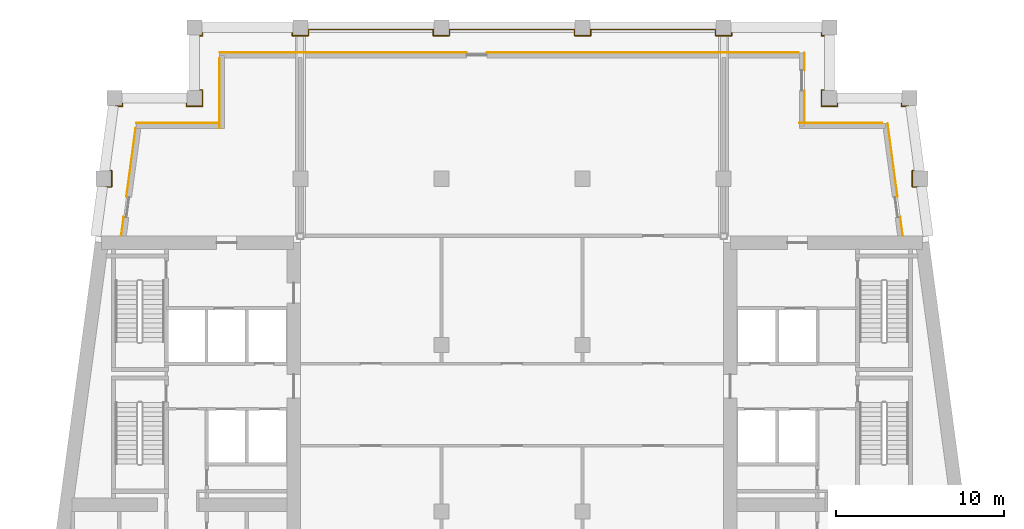
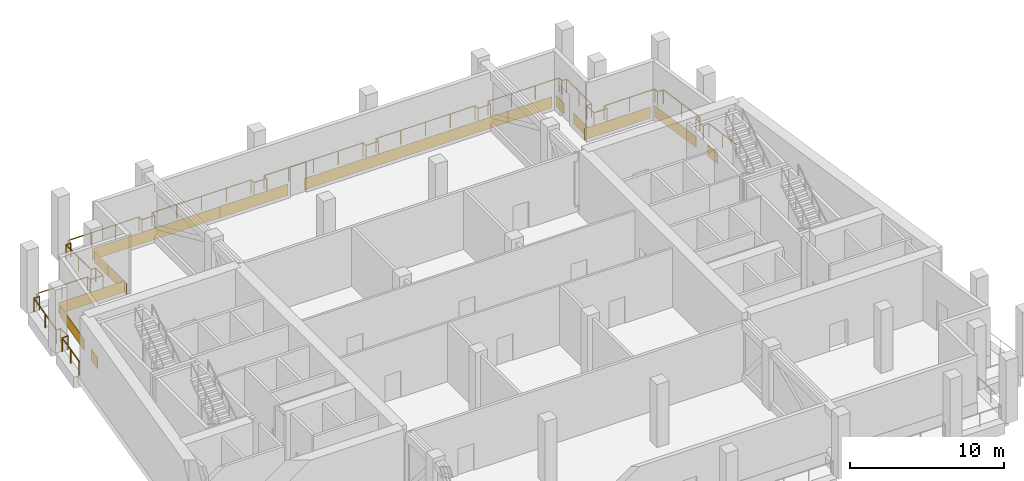
# One storey, part 11 of 11: 14 coverings, 1 railing.
"""IFC4 building model written with IfcOpenShell, lengths in metres."""

from ifc_helpers import new_model, si_unit, direction, frame, origin, origin_2d, place, context, subcontext, project, spatial, rectangle, circle, extrude, material, layer, layer_set, type_object, element, save


model = new_model("IFC4")

# Units and contexts
model_context = context("Model", 3, precision=1e-05, world=origin(), true_north=direction((0.0, 1.0)))
body_context = subcontext(model_context, "Body", "Model", "MODEL_VIEW")
ifc_project = project(units=[si_unit("LENGTHUNIT", "METRE"), si_unit("AREAUNIT", "SQUARE_METRE"), si_unit("VOLUMEUNIT", "CUBIC_METRE"), si_unit("PLANEANGLEUNIT", "RADIAN"), si_unit("MASSUNIT", "GRAM", prefix="KILO")], contexts=[model_context])

# Site, building, storey
site_placement = place(None, origin())
site = spatial("IfcSite", under=ifc_project, at=site_placement, CompositionType="ELEMENT")
building_placement = place(site_placement, origin())
building = spatial("IfcBuilding", under=site, at=building_placement, Name="Candeia Pilgrim Tower and Theatre", CompositionType="ELEMENT")
storey_placement = place(building_placement, frame((0.0, 0.0, 254.0)))
storey = spatial("IfcBuildingStorey", under=building, at=storey_placement, Name="L61", CompositionType="ELEMENT", Elevation=254.0)

# Railing
ifc_material_1 = material(Name="Stainless steel balustrade", Category="steel")
railing_type = type_object("IfcRailingType", Name="G1 loggia guard 1100", PredefinedType="GUARDRAIL", material=ifc_material_1)
railing_placement = place(storey_placement, frame((88.758544921875, 132.449951171875, 0.0)))
element("IfcRailing", 1, at=railing_placement, inside=storey, type_object=railing_type, Name="Guard L61.2", PredefinedType="GUARDRAIL", context=body_context, shape_type="SweptSolid", body=[
    extrude(circle(Radius=0.02392578125, at=origin_2d()), frame((0.0, 0.0, 1.076171875), z_axis=(0.133450228179, 0.991055516406, 0.0), x_axis=(-0.991055516406, 0.133450228179, 0.0)), (0.0, 0.0, 1.0), 2.89599609375),
    extrude(circle(Radius=0.02392578125, at=origin_2d()), frame((0.386474609375, 2.8701171875, 1.076171875), z_axis=(1.0, 0.0, 0.0), x_axis=(0.0, 1.0, 0.0)), (0.0, 0.0, 1.0), 0.42333984375),
    extrude(circle(Radius=0.02392578125, at=origin_2d()), frame((0.809814453125, 2.8701171875, 1.076171875), z_axis=(0.0, 1.0, 0.0), x_axis=(-1.0, 0.0, 0.0)), (0.0, 0.0, 1.0), 0.9599609375),
    extrude(circle(Radius=0.02392578125, at=origin_2d()), frame((0.809814453125, 3.830078125, 1.076171875), z_axis=(-1.0, 0.0, 0.0), x_axis=(0.0, -1.0, 0.0)), (0.0, 0.0, 1.0), 0.294189453125),
    extrude(circle(Radius=0.02392578125, at=origin_2d()), frame((0.515625, 3.830078125, 1.076171875), z_axis=(0.133389399471, 0.991063705374, 0.0), x_axis=(-0.991063705374, 0.133389399471, 0.0)), (0.0, 0.0, 1.0), 3.874755859375),
    extrude(circle(Radius=0.02392578125, at=origin_2d()), frame((1.032470703125, 7.670166015625, 1.076171875), z_axis=(1.0, 0.0, 0.0), x_axis=(0.0, 1.0, 0.0)), (0.0, 0.0, 1.0), 0.423583984375),
    extrude(circle(Radius=0.02392578125, at=origin_2d()), frame((1.4560546875, 7.670166015625, 1.076171875), z_axis=(0.0, 1.0, 0.0), x_axis=(-1.0, 0.0, 0.0)), (0.0, 0.0, 1.0), 0.35986328125),
    extrude(circle(Radius=0.02392578125, at=origin_2d()), frame((1.4560546875, 8.030029296875, 1.076171875), z_axis=(1.0, 0.0, 0.0), x_axis=(0.0, 1.0, 0.0)), (0.0, 0.0, 1.0), 3.805419921875),
    extrude(circle(Radius=0.02392578125, at=origin_2d()), frame((5.261474609375, 8.030029296875, 1.076171875), z_axis=(0.0, -1.0, 0.0), x_axis=(1.0, 0.0, 0.0)), (0.0, 0.0, 1.0), 0.35986328125),
    extrude(circle(Radius=0.02392578125, at=origin_2d()), frame((5.261474609375, 7.670166015625, 1.076171875), z_axis=(1.0, 0.0, 0.0), x_axis=(0.0, 1.0, 0.0)), (0.0, 0.0, 1.0), 0.9599609375),
    extrude(circle(Radius=0.02392578125, at=origin_2d()), frame((6.221435546875, 7.670166015625, 1.076171875), z_axis=(0.0, 1.0, 0.0), x_axis=(-1.0, 0.0, 0.0)), (0.0, 0.0, 1.0), 0.9599609375),
    extrude(circle(Radius=0.02392578125, at=origin_2d()), frame((6.221435546875, 8.630126953125, 1.076171875), z_axis=(-1.0, 0.0, 0.0), x_axis=(0.0, -1.0, 0.0)), (0.0, 0.0, 1.0), 0.35986328125),
    extrude(circle(Radius=0.02392578125, at=origin_2d()), frame((5.861572265625, 8.630126953125, 1.076171875), z_axis=(0.0, 1.0, 0.0), x_axis=(-1.0, 0.0, 0.0)), (0.0, 0.0, 1.0), 3.239990234375),
    extrude(circle(Radius=0.02392578125, at=origin_2d()), frame((5.861572265625, 11.8701171875, 1.076171875), z_axis=(1.0, 0.0, 0.0), x_axis=(0.0, 1.0, 0.0)), (0.0, 0.0, 1.0), 0.35986328125),
    extrude(circle(Radius=0.02392578125, at=origin_2d()), frame((6.221435546875, 11.8701171875, 1.076171875), z_axis=(0.0, 1.0, 0.0), x_axis=(-1.0, 0.0, 0.0)), (0.0, 0.0, 1.0), 0.35986328125),
    extrude(circle(Radius=0.02392578125, at=origin_2d()), frame((6.221435546875, 12.22998046875, 1.076171875), z_axis=(1.0, 0.0, 0.0), x_axis=(0.0, 1.0, 0.0)), (0.0, 0.0, 1.0), 5.340087890625),
    extrude(circle(Radius=0.02392578125, at=origin_2d()), frame((11.5615234375, 12.22998046875, 1.076171875), z_axis=(0.0, -1.0, 0.0), x_axis=(1.0, 0.0, 0.0)), (0.0, 0.0, 1.0), 0.35986328125),
    extrude(circle(Radius=0.02392578125, at=origin_2d()), frame((11.5615234375, 11.8701171875, 1.076171875), z_axis=(1.0, 0.0, 0.0), x_axis=(0.0, 1.0, 0.0)), (0.0, 0.0, 1.0), 0.9599609375),
    extrude(circle(Radius=0.02392578125, at=origin_2d()), frame((12.521484375, 11.8701171875, 1.076171875), z_axis=(0.0, 1.0, 0.0), x_axis=(-1.0, 0.0, 0.0)), (0.0, 0.0, 1.0), 0.35986328125),
    extrude(circle(Radius=0.02392578125, at=origin_2d()), frame((12.521484375, 12.22998046875, 1.076171875), z_axis=(1.0, 0.0, 0.0), x_axis=(0.0, 1.0, 0.0)), (0.0, 0.0, 1.0), 7.43994140625),
    extrude(circle(Radius=0.02392578125, at=origin_2d()), frame((19.96142578125, 12.22998046875, 1.076171875), z_axis=(0.0, -1.0, 0.0), x_axis=(1.0, 0.0, 0.0)), (0.0, 0.0, 1.0), 0.35986328125),
    extrude(circle(Radius=0.02392578125, at=origin_2d()), frame((19.96142578125, 11.8701171875, 1.076171875), z_axis=(1.0, 0.0, 0.0), x_axis=(0.0, 1.0, 0.0)), (0.0, 0.0, 1.0), 0.9599609375),
    extrude(circle(Radius=0.02392578125, at=origin_2d()), frame((20.92138671875, 11.8701171875, 1.076171875), z_axis=(0.0, 1.0, 0.0), x_axis=(-1.0, 0.0, 0.0)), (0.0, 0.0, 1.0), 0.35986328125),
    extrude(circle(Radius=0.02392578125, at=origin_2d()), frame((20.92138671875, 12.22998046875, 1.076171875), z_axis=(1.0, 0.0, 0.0), x_axis=(0.0, 1.0, 0.0)), (0.0, 0.0, 1.0), 7.440185546875),
    extrude(circle(Radius=0.02392578125, at=origin_2d()), frame((28.361572265625, 12.22998046875, 1.076171875), z_axis=(0.0, -1.0, 0.0), x_axis=(1.0, 0.0, 0.0)), (0.0, 0.0, 1.0), 0.35986328125),
    extrude(circle(Radius=0.02392578125, at=origin_2d()), frame((28.361572265625, 11.8701171875, 1.076171875), z_axis=(1.0, 0.0, 0.0), x_axis=(0.0, 1.0, 0.0)), (0.0, 0.0, 1.0), 0.9599609375),
    extrude(circle(Radius=0.02392578125, at=origin_2d()), frame((29.321533203125, 11.8701171875, 1.076171875), z_axis=(0.0, 1.0, 0.0), x_axis=(-1.0, 0.0, 0.0)), (0.0, 0.0, 1.0), 0.35986328125),
    extrude(circle(Radius=0.02392578125, at=origin_2d()), frame((29.321533203125, 12.22998046875, 1.076171875), z_axis=(1.0, 0.0, 0.0), x_axis=(0.0, 1.0, 0.0)), (0.0, 0.0, 1.0), 7.43994140625),
    extrude(circle(Radius=0.02392578125, at=origin_2d()), frame((36.761474609375, 12.22998046875, 1.076171875), z_axis=(0.0, -1.0, 0.0), x_axis=(1.0, 0.0, 0.0)), (0.0, 0.0, 1.0), 0.35986328125),
    extrude(circle(Radius=0.02392578125, at=origin_2d()), frame((36.761474609375, 11.8701171875, 1.076171875), z_axis=(1.0, 0.0, 0.0), x_axis=(0.0, 1.0, 0.0)), (0.0, 0.0, 1.0), 0.9599609375),
    extrude(circle(Radius=0.02392578125, at=origin_2d()), frame((37.721435546875, 11.8701171875, 1.076171875), z_axis=(0.0, 1.0, 0.0), x_axis=(-1.0, 0.0, 0.0)), (0.0, 0.0, 1.0), 0.35986328125),
    extrude(circle(Radius=0.02392578125, at=origin_2d()), frame((37.721435546875, 12.22998046875, 1.076171875), z_axis=(1.0, 0.0, 0.0), x_axis=(0.0, 1.0, 0.0)), (0.0, 0.0, 1.0), 5.340087890625),
    extrude(circle(Radius=0.02392578125, at=origin_2d()), frame((43.0615234375, 12.22998046875, 1.076171875), z_axis=(0.0, -1.0, 0.0), x_axis=(1.0, 0.0, 0.0)), (0.0, 0.0, 1.0), 0.35986328125),
    extrude(circle(Radius=0.02392578125, at=origin_2d()), frame((43.0615234375, 11.8701171875, 1.076171875), z_axis=(1.0, 0.0, 0.0), x_axis=(0.0, 1.0, 0.0)), (0.0, 0.0, 1.0), 0.35986328125),
    extrude(circle(Radius=0.02392578125, at=origin_2d()), frame((43.42138671875, 11.8701171875, 1.076171875), z_axis=(0.0, -1.0, 0.0), x_axis=(1.0, 0.0, 0.0)), (0.0, 0.0, 1.0), 3.239990234375),
    extrude(circle(Radius=0.02392578125, at=origin_2d()), frame((43.42138671875, 8.630126953125, 1.076171875), z_axis=(-1.0, 0.0, 0.0), x_axis=(0.0, -1.0, 0.0)), (0.0, 0.0, 1.0), 0.35986328125),
    extrude(circle(Radius=0.02392578125, at=origin_2d()), frame((43.0615234375, 8.630126953125, 1.076171875), z_axis=(0.0, -1.0, 0.0), x_axis=(1.0, 0.0, 0.0)), (0.0, 0.0, 1.0), 0.9599609375),
    extrude(circle(Radius=0.02392578125, at=origin_2d()), frame((43.0615234375, 7.670166015625, 1.076171875), z_axis=(1.0, 0.0, 0.0), x_axis=(0.0, 1.0, 0.0)), (0.0, 0.0, 1.0), 0.9599609375),
    extrude(circle(Radius=0.02392578125, at=origin_2d()), frame((44.021484375, 7.670166015625, 1.076171875), z_axis=(0.0, 1.0, 0.0), x_axis=(-1.0, 0.0, 0.0)), (0.0, 0.0, 1.0), 0.35986328125),
    extrude(circle(Radius=0.02392578125, at=origin_2d()), frame((44.021484375, 8.030029296875, 1.076171875), z_axis=(1.0, 0.0, 0.0), x_axis=(0.0, 1.0, 0.0)), (0.0, 0.0, 1.0), 3.805419921875),
    extrude(circle(Radius=0.02392578125, at=origin_2d()), frame((47.826904296875, 8.030029296875, 1.076171875), z_axis=(0.0, -1.0, 0.0), x_axis=(1.0, 0.0, 0.0)), (0.0, 0.0, 1.0), 0.35986328125),
    extrude(circle(Radius=0.02392578125, at=origin_2d()), frame((47.826904296875, 7.670166015625, 1.076171875), z_axis=(1.0, 0.0, 0.0), x_axis=(0.0, 1.0, 0.0)), (0.0, 0.0, 1.0), 0.423583984375),
    extrude(circle(Radius=0.02392578125, at=origin_2d()), frame((48.25048828125, 7.670166015625, 1.076171875), z_axis=(0.133389399471, -0.991063705374, 0.0), x_axis=(0.991063705374, 0.133389399471, 0.0)), (0.0, 0.0, 1.0), 3.874755859375),
    extrude(circle(Radius=0.02392578125, at=origin_2d()), frame((48.767333984375, 3.830078125, 1.076171875), z_axis=(-1.0, 0.0, 0.0), x_axis=(0.0, -1.0, 0.0)), (0.0, 0.0, 1.0), 0.29443359375),
    extrude(circle(Radius=0.02392578125, at=origin_2d()), frame((48.472900390625, 3.830078125, 1.076171875), z_axis=(0.0, -1.0, 0.0), x_axis=(1.0, 0.0, 0.0)), (0.0, 0.0, 1.0), 0.9599609375),
    extrude(circle(Radius=0.02392578125, at=origin_2d()), frame((48.472900390625, 2.8701171875, 1.076171875), z_axis=(1.0, 0.0, 0.0), x_axis=(0.0, 1.0, 0.0)), (0.0, 0.0, 1.0), 0.423583984375),
    extrude(circle(Radius=0.02392578125, at=origin_2d()), frame((48.896484375, 2.8701171875, 1.076171875), z_axis=(0.133450228179, -0.991055516406, 0.0), x_axis=(0.991055516406, 0.133450228179, 0.0)), (0.0, 0.0, 1.0), 2.89599609375),
    extrude(circle(Radius=0.02099609375, at=origin_2d()), origin(), (0.0, 0.0, 1.0), 1.052001953125),
    extrude(circle(Radius=0.02099609375, at=origin_2d()), frame((0.193359375, 1.43505859375, 0.0)), (0.0, 0.0, 1.0), 1.052001953125),
    extrude(circle(Radius=0.02099609375, at=origin_2d()), frame((0.386474609375, 2.8701171875, 0.0)), (0.0, 0.0, 1.0), 1.052001953125),
    extrude(circle(Radius=0.02099609375, at=origin_2d()), frame((0.809814453125, 2.8701171875, 0.0)), (0.0, 0.0, 1.0), 1.052001953125),
    extrude(circle(Radius=0.02099609375, at=origin_2d()), frame((0.809814453125, 3.830078125, 0.0)), (0.0, 0.0, 1.0), 1.052001953125),
    extrude(circle(Radius=0.02099609375, at=origin_2d()), frame((0.515625, 3.830078125, 0.0)), (0.0, 0.0, 1.0), 1.052001953125),
    extrude(circle(Radius=0.02099609375, at=origin_2d()), frame((0.77392578125, 5.75, 0.0)), (0.0, 0.0, 1.0), 1.052001953125),
    extrude(circle(Radius=0.02099609375, at=origin_2d()), frame((1.032470703125, 7.670166015625, 0.0)), (0.0, 0.0, 1.0), 1.052001953125),
    extrude(circle(Radius=0.02099609375, at=origin_2d()), frame((1.4560546875, 7.670166015625, 0.0)), (0.0, 0.0, 1.0), 1.052001953125),
    extrude(circle(Radius=0.02099609375, at=origin_2d()), frame((1.4560546875, 8.030029296875, 0.0)), (0.0, 0.0, 1.0), 1.052001953125),
    extrude(circle(Radius=0.02099609375, at=origin_2d()), frame((3.35888671875, 8.030029296875, 0.0)), (0.0, 0.0, 1.0), 1.052001953125),
    extrude(circle(Radius=0.02099609375, at=origin_2d()), frame((5.261474609375, 8.030029296875, 0.0)), (0.0, 0.0, 1.0), 1.052001953125),
    extrude(circle(Radius=0.02099609375, at=origin_2d()), frame((5.261474609375, 7.670166015625, 0.0)), (0.0, 0.0, 1.0), 1.052001953125),
    extrude(circle(Radius=0.02099609375, at=origin_2d()), frame((6.221435546875, 7.670166015625, 0.0)), (0.0, 0.0, 1.0), 1.052001953125),
    extrude(circle(Radius=0.02099609375, at=origin_2d()), frame((6.221435546875, 8.630126953125, 0.0)), (0.0, 0.0, 1.0), 1.052001953125),
    extrude(circle(Radius=0.02099609375, at=origin_2d()), frame((5.861572265625, 8.630126953125, 0.0)), (0.0, 0.0, 1.0), 1.052001953125),
    extrude(circle(Radius=0.02099609375, at=origin_2d()), frame((5.861572265625, 10.25, 0.0)), (0.0, 0.0, 1.0), 1.052001953125),
    extrude(circle(Radius=0.02099609375, at=origin_2d()), frame((5.861572265625, 11.8701171875, 0.0)), (0.0, 0.0, 1.0), 1.052001953125),
    extrude(circle(Radius=0.02099609375, at=origin_2d()), frame((6.221435546875, 11.8701171875, 0.0)), (0.0, 0.0, 1.0), 1.052001953125),
    extrude(circle(Radius=0.02099609375, at=origin_2d()), frame((6.221435546875, 12.22998046875, 0.0)), (0.0, 0.0, 1.0), 1.052001953125),
    extrude(circle(Radius=0.02099609375, at=origin_2d()), frame((8.00146484375, 12.22998046875, 0.0)), (0.0, 0.0, 1.0), 1.052001953125),
    extrude(circle(Radius=0.02099609375, at=origin_2d()), frame((9.781494140625, 12.22998046875, 0.0)), (0.0, 0.0, 1.0), 1.052001953125),
    extrude(circle(Radius=0.02099609375, at=origin_2d()), frame((11.5615234375, 12.22998046875, 0.0)), (0.0, 0.0, 1.0), 1.052001953125),
    extrude(circle(Radius=0.02099609375, at=origin_2d()), frame((11.5615234375, 11.8701171875, 0.0)), (0.0, 0.0, 1.0), 1.052001953125),
    extrude(circle(Radius=0.02099609375, at=origin_2d()), frame((12.521484375, 11.8701171875, 0.0)), (0.0, 0.0, 1.0), 1.052001953125),
    extrude(circle(Radius=0.02099609375, at=origin_2d()), frame((12.521484375, 12.22998046875, 0.0)), (0.0, 0.0, 1.0), 1.052001953125),
    extrude(circle(Radius=0.02099609375, at=origin_2d()), frame((14.38134765625, 12.22998046875, 0.0)), (0.0, 0.0, 1.0), 1.052001953125),
    extrude(circle(Radius=0.02099609375, at=origin_2d()), frame((16.241455078125, 12.22998046875, 0.0)), (0.0, 0.0, 1.0), 1.052001953125),
    extrude(circle(Radius=0.02099609375, at=origin_2d()), frame((18.1015625, 12.22998046875, 0.0)), (0.0, 0.0, 1.0), 1.052001953125),
    extrude(circle(Radius=0.02099609375, at=origin_2d()), frame((19.96142578125, 12.22998046875, 0.0)), (0.0, 0.0, 1.0), 1.052001953125),
    extrude(circle(Radius=0.02099609375, at=origin_2d()), frame((19.96142578125, 11.8701171875, 0.0)), (0.0, 0.0, 1.0), 1.052001953125),
    extrude(circle(Radius=0.02099609375, at=origin_2d()), frame((20.92138671875, 11.8701171875, 0.0)), (0.0, 0.0, 1.0), 1.052001953125),
    extrude(circle(Radius=0.02099609375, at=origin_2d()), frame((20.92138671875, 12.22998046875, 0.0)), (0.0, 0.0, 1.0), 1.052001953125),
    extrude(circle(Radius=0.02099609375, at=origin_2d()), frame((22.781494140625, 12.22998046875, 0.0)), (0.0, 0.0, 1.0), 1.052001953125),
    extrude(circle(Radius=0.02099609375, at=origin_2d()), frame((24.6416015625, 12.22998046875, 0.0)), (0.0, 0.0, 1.0), 1.052001953125),
    extrude(circle(Radius=0.02099609375, at=origin_2d()), frame((26.50146484375, 12.22998046875, 0.0)), (0.0, 0.0, 1.0), 1.052001953125),
    extrude(circle(Radius=0.02099609375, at=origin_2d()), frame((28.361572265625, 12.22998046875, 0.0)), (0.0, 0.0, 1.0), 1.052001953125),
    extrude(circle(Radius=0.02099609375, at=origin_2d()), frame((28.361572265625, 11.8701171875, 0.0)), (0.0, 0.0, 1.0), 1.052001953125),
    extrude(circle(Radius=0.02099609375, at=origin_2d()), frame((29.321533203125, 11.8701171875, 0.0)), (0.0, 0.0, 1.0), 1.052001953125),
    extrude(circle(Radius=0.02099609375, at=origin_2d()), frame((29.321533203125, 12.22998046875, 0.0)), (0.0, 0.0, 1.0), 1.052001953125),
    extrude(circle(Radius=0.02099609375, at=origin_2d()), frame((31.181640625, 12.22998046875, 0.0)), (0.0, 0.0, 1.0), 1.052001953125),
    extrude(circle(Radius=0.02099609375, at=origin_2d()), frame((33.04150390625, 12.22998046875, 0.0)), (0.0, 0.0, 1.0), 1.052001953125),
    extrude(circle(Radius=0.02099609375, at=origin_2d()), frame((34.9013671875, 12.22998046875, 0.0)), (0.0, 0.0, 1.0), 1.052001953125),
    extrude(circle(Radius=0.02099609375, at=origin_2d()), frame((36.761474609375, 12.22998046875, 0.0)), (0.0, 0.0, 1.0), 1.052001953125),
    extrude(circle(Radius=0.02099609375, at=origin_2d()), frame((36.761474609375, 11.8701171875, 0.0)), (0.0, 0.0, 1.0), 1.052001953125),
    extrude(circle(Radius=0.02099609375, at=origin_2d()), frame((37.721435546875, 11.8701171875, 0.0)), (0.0, 0.0, 1.0), 1.052001953125),
    extrude(circle(Radius=0.02099609375, at=origin_2d()), frame((37.721435546875, 12.22998046875, 0.0)), (0.0, 0.0, 1.0), 1.052001953125),
    extrude(circle(Radius=0.02099609375, at=origin_2d()), frame((39.50146484375, 12.22998046875, 0.0)), (0.0, 0.0, 1.0), 1.052001953125),
    extrude(circle(Radius=0.02099609375, at=origin_2d()), frame((41.281494140625, 12.22998046875, 0.0)), (0.0, 0.0, 1.0), 1.052001953125),
    extrude(circle(Radius=0.02099609375, at=origin_2d()), frame((43.0615234375, 12.22998046875, 0.0)), (0.0, 0.0, 1.0), 1.052001953125),
    extrude(circle(Radius=0.02099609375, at=origin_2d()), frame((43.0615234375, 11.8701171875, 0.0)), (0.0, 0.0, 1.0), 1.052001953125),
    extrude(circle(Radius=0.02099609375, at=origin_2d()), frame((43.42138671875, 11.8701171875, 0.0)), (0.0, 0.0, 1.0), 1.052001953125),
    extrude(circle(Radius=0.02099609375, at=origin_2d()), frame((43.42138671875, 10.25, 0.0)), (0.0, 0.0, 1.0), 1.052001953125),
    extrude(circle(Radius=0.02099609375, at=origin_2d()), frame((43.42138671875, 8.630126953125, 0.0)), (0.0, 0.0, 1.0), 1.052001953125),
    extrude(circle(Radius=0.02099609375, at=origin_2d()), frame((43.0615234375, 8.630126953125, 0.0)), (0.0, 0.0, 1.0), 1.052001953125),
    extrude(circle(Radius=0.02099609375, at=origin_2d()), frame((43.0615234375, 7.670166015625, 0.0)), (0.0, 0.0, 1.0), 1.052001953125),
    extrude(circle(Radius=0.02099609375, at=origin_2d()), frame((44.021484375, 7.670166015625, 0.0)), (0.0, 0.0, 1.0), 1.052001953125),
    extrude(circle(Radius=0.02099609375, at=origin_2d()), frame((44.021484375, 8.030029296875, 0.0)), (0.0, 0.0, 1.0), 1.052001953125),
    extrude(circle(Radius=0.02099609375, at=origin_2d()), frame((45.92431640625, 8.030029296875, 0.0)), (0.0, 0.0, 1.0), 1.052001953125),
    extrude(circle(Radius=0.02099609375, at=origin_2d()), frame((47.826904296875, 8.030029296875, 0.0)), (0.0, 0.0, 1.0), 1.052001953125),
    extrude(circle(Radius=0.02099609375, at=origin_2d()), frame((47.826904296875, 7.670166015625, 0.0)), (0.0, 0.0, 1.0), 1.052001953125),
    extrude(circle(Radius=0.02099609375, at=origin_2d()), frame((48.25048828125, 7.670166015625, 0.0)), (0.0, 0.0, 1.0), 1.052001953125),
    extrude(circle(Radius=0.02099609375, at=origin_2d()), frame((48.5087890625, 5.75, 0.0)), (0.0, 0.0, 1.0), 1.052001953125),
    extrude(circle(Radius=0.02099609375, at=origin_2d()), frame((48.767333984375, 3.830078125, 0.0)), (0.0, 0.0, 1.0), 1.052001953125),
    extrude(circle(Radius=0.02099609375, at=origin_2d()), frame((48.472900390625, 3.830078125, 0.0)), (0.0, 0.0, 1.0), 1.052001953125),
    extrude(circle(Radius=0.02099609375, at=origin_2d()), frame((48.472900390625, 2.8701171875, 0.0)), (0.0, 0.0, 1.0), 1.052001953125),
    extrude(circle(Radius=0.02099609375, at=origin_2d()), frame((48.896484375, 2.8701171875, 0.0)), (0.0, 0.0, 1.0), 1.052001953125),
    extrude(circle(Radius=0.02099609375, at=origin_2d()), frame((49.08984375, 1.43505859375, 0.0)), (0.0, 0.0, 1.0), 1.052001953125),
    extrude(circle(Radius=0.02099609375, at=origin_2d()), frame((49.282958984375, 0.0, 0.0)), (0.0, 0.0, 1.0), 1.052001953125),
])

# Coverings
ifc_material_2 = material(Name="Glazed ceramic tile bottle green")
ifc_layer_1 = layer(ifc_material_2, 0.02001953125)
ifc_layer_set_1 = layer_set([ifc_layer_1], Name="Glazed ceramic tile bottle green")
covering_type_1 = type_object("IfcCoveringType", Name="Glazed ceramic tile bottle green", PredefinedType="CLADDING", material=ifc_layer_set_1)
covering_1_placement = place(storey_placement, frame((132.976318359375, 139.110107421875, 0.0), z_axis=(0.0, 0.0, 1.0), x_axis=(-1.0, 0.0, 0.0)))
element("IfcCovering", 2, at=covering_1_placement, inside=storey, type_object=covering_type_1, Name="Tile cladding bottle green L61", PredefinedType="CLADDING", context=body_context, shape_type="SweptSolid", body=[
    extrude(rectangle(XDim=4.95263671875, YDim=0.02001953125, at=origin_2d()), origin(), (0.0, 0.0, 1.0), 0.89990234375),
])
covering_2_placement = place(storey_placement, frame((130.81005859375, 142.77490234375, 0.0), z_axis=(0.0, 0.0, 1.0), x_axis=(0.0, 1.0, 0.0)))
element("IfcCovering", 3, at=covering_2_placement, inside=storey, type_object=covering_type_1, Name="Tile cladding bottle green L61", PredefinedType="CLADDING", context=body_context, shape_type="SweptSolid", body=[
    extrude(rectangle(XDim=1.050048828125, YDim=0.02001953125, at=origin_2d()), origin(), (0.0, 0.0, 1.0), 0.89990234375),
])
covering_3_placement = place(storey_placement, frame((128.840087890625, 143.31005859375, 0.0), z_axis=(0.0, 0.0, 1.0), x_axis=(-1.0, 0.0, 0.0)))
element("IfcCovering", 4, at=covering_3_placement, inside=storey, type_object=covering_type_1, Name="Tile cladding bottle green L61", PredefinedType="CLADDING", context=body_context, shape_type="SweptSolid", body=[
    extrude(rectangle(XDim=3.280029296875, YDim=0.02001953125, at=origin_2d()), origin(), (0.0, 0.0, 1.0), 0.89990234375),
])
covering_4_placement = place(storey_placement, frame((100.800048828125, 143.31005859375, 0.0), z_axis=(0.0, 0.0, 1.0), x_axis=(-1.0, 0.0, 0.0)))
element("IfcCovering", 5, at=covering_4_placement, inside=storey, type_object=covering_type_1, Name="Tile cladding bottle green L61", PredefinedType="CLADDING", context=body_context, shape_type="SweptSolid", body=[
    extrude(rectangle(XDim=9.60009765625, YDim=0.02001953125, at=origin_2d()), origin(), (0.0, 0.0, 1.0), 0.89990234375),
])
covering_5_placement = place(storey_placement, frame((95.989990234375, 142.090087890625, 0.0), z_axis=(0.0, 0.0, 1.0), x_axis=(0.0, -1.0, 0.0)))
element("IfcCovering", 6, at=covering_5_placement, inside=storey, type_object=covering_type_1, Name="Tile cladding bottle green L61", PredefinedType="CLADDING", context=body_context, shape_type="SweptSolid", body=[
    extrude(rectangle(XDim=1.780029296875, YDim=0.02001953125, at=origin_2d()), origin(), (0.0, 0.0, 1.0), 0.89990234375),
])
covering_6_placement = place(storey_placement, frame((93.51318359375, 139.110107421875, 0.0), z_axis=(0.0, 0.0, 1.0), x_axis=(-1.0, 0.0, 0.0)))
element("IfcCovering", 7, at=covering_6_placement, inside=storey, type_object=covering_type_1, Name="Tile cladding bottle green L61", PredefinedType="CLADDING", context=body_context, shape_type="SweptSolid", body=[
    extrude(rectangle(XDim=4.933837890625, YDim=0.02001953125, at=origin_2d()), origin(), (0.0, 0.0, 1.0), 0.89990234375),
])
ifc_material_3 = material(Name="Glazed ceramic tile rust")
ifc_layer_2 = layer(ifc_material_3, 0.02001953125)
ifc_layer_set_2 = layer_set([ifc_layer_2], Name="Glazed ceramic tile rust")
covering_type_2 = type_object("IfcCoveringType", Name="Glazed ceramic tile rust", PredefinedType="CLADDING", material=ifc_layer_set_2)
covering_7_placement = place(storey_placement, frame((136.588623046875, 132.97412109375, 0.0), z_axis=(0.0, 0.0, 1.0), x_axis=(-0.133412012145, 0.991060661622, 0.0)))
element("IfcCovering", 8, at=covering_7_placement, inside=storey, type_object=covering_type_2, Name="Tile cladding rust L61", PredefinedType="CLADDING", context=body_context, shape_type="SweptSolid", body=[
    extrude(rectangle(XDim=1.115234375, YDim=0.02001953125, at=origin_2d()), origin(), (0.0, 0.0, 1.0), 0.89990234375),
])
covering_8_placement = place(storey_placement, frame((136.058837890625, 136.90869140625, 0.0), z_axis=(0.0, 0.0, 1.0), x_axis=(-0.133412012145, 0.991060661622, 0.0)))
element("IfcCovering", 9, at=covering_8_placement, inside=storey, type_object=covering_type_2, Name="Tile cladding rust L61", PredefinedType="CLADDING", context=body_context, shape_type="SweptSolid", body=[
    extrude(rectangle(XDim=4.4248046875, YDim=0.02001953125, at=origin_2d()), origin(), (0.0, 0.0, 1.0), 0.89990234375),
])
covering_9_placement = place(storey_placement, frame((130.81005859375, 140.0849609375, 0.0), z_axis=(0.0, 0.0, 1.0), x_axis=(0.0, 1.0, 0.0)))
element("IfcCovering", 10, at=covering_9_placement, inside=storey, type_object=covering_type_2, Name="Tile cladding rust L61", PredefinedType="CLADDING", context=body_context, shape_type="SweptSolid", body=[
    extrude(rectangle(XDim=1.929931640625, YDim=0.02001953125, at=origin_2d()), origin(), (0.0, 0.0, 1.0), 0.89990234375),
])
covering_10_placement = place(storey_placement, frame((119.550048828125, 143.31005859375, 0.0), z_axis=(0.0, 0.0, 1.0), x_axis=(-1.0, 0.0, 0.0)))
element("IfcCovering", 11, at=covering_10_placement, inside=storey, type_object=covering_type_2, Name="Tile cladding rust L61", PredefinedType="CLADDING", context=body_context, shape_type="SweptSolid", body=[
    extrude(rectangle(XDim=15.300048828125, YDim=0.02001953125, at=origin_2d()), origin(), (0.0, 0.0, 1.0), 0.89990234375),
])
covering_11_placement = place(storey_placement, frame((108.14990234375, 143.31005859375, 0.0), z_axis=(0.0, 0.0, 1.0), x_axis=(-1.0, 0.0, 0.0)))
element("IfcCovering", 12, at=covering_11_placement, inside=storey, type_object=covering_type_2, Name="Tile cladding rust L61", PredefinedType="CLADDING", context=body_context, shape_type="SweptSolid", body=[
    extrude(rectangle(XDim=5.10009765625, YDim=0.02001953125, at=origin_2d()), origin(), (0.0, 0.0, 1.0), 0.89990234375),
])
covering_12_placement = place(storey_placement, frame((95.989990234375, 140.0, 0.0), z_axis=(0.0, 0.0, 1.0), x_axis=(0.0, -1.0, 0.0)))
element("IfcCovering", 13, at=covering_12_placement, inside=storey, type_object=covering_type_2, Name="Tile cladding rust L61", PredefinedType="CLADDING", context=body_context, shape_type="SweptSolid", body=[
    extrude(rectangle(XDim=2.39990234375, YDim=0.02001953125, at=origin_2d()), origin(), (0.0, 0.0, 1.0), 0.89990234375),
])
covering_13_placement = place(storey_placement, frame((90.720947265625, 136.759521484375, 0.0), z_axis=(0.0, 0.0, 1.0), x_axis=(-0.133412012145, -0.991060661622, 0.0)))
element("IfcCovering", 14, at=covering_13_placement, inside=storey, type_object=covering_type_2, Name="Tile cladding rust L61", PredefinedType="CLADDING", context=body_context, shape_type="SweptSolid", body=[
    extrude(rectangle(XDim=4.123779296875, YDim=0.02001953125, at=origin_2d()), origin(), (0.0, 0.0, 1.0), 0.89990234375),
])
covering_14_placement = place(storey_placement, frame((90.21142578125, 132.97412109375, 0.0), z_axis=(0.0, 0.0, 1.0), x_axis=(-0.133412012145, -0.991060661622, 0.0)))
element("IfcCovering", 15, at=covering_14_placement, inside=storey, type_object=covering_type_2, Name="Tile cladding rust L61", PredefinedType="CLADDING", context=body_context, shape_type="SweptSolid", body=[
    extrude(rectangle(XDim=1.115234375, YDim=0.02001953125, at=origin_2d()), origin(), (0.0, 0.0, 1.0), 0.89990234375),
])

save(model, "model.ifc")
